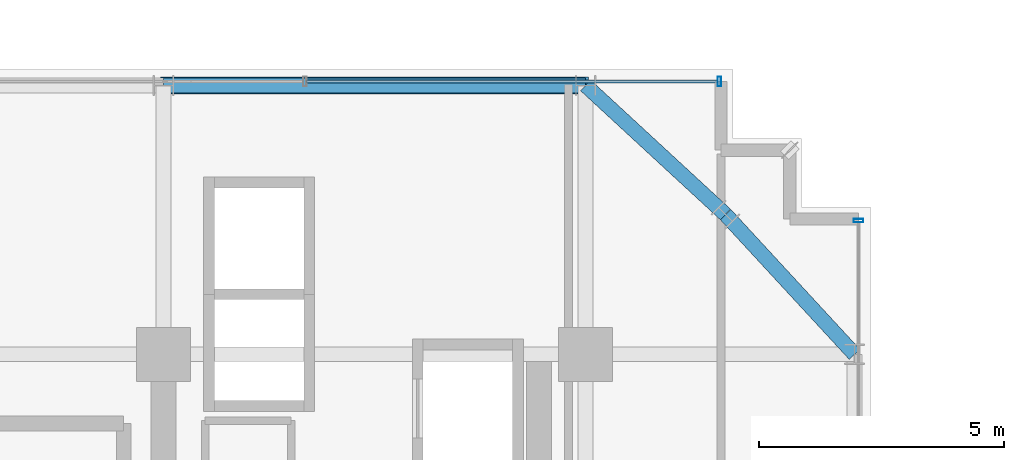
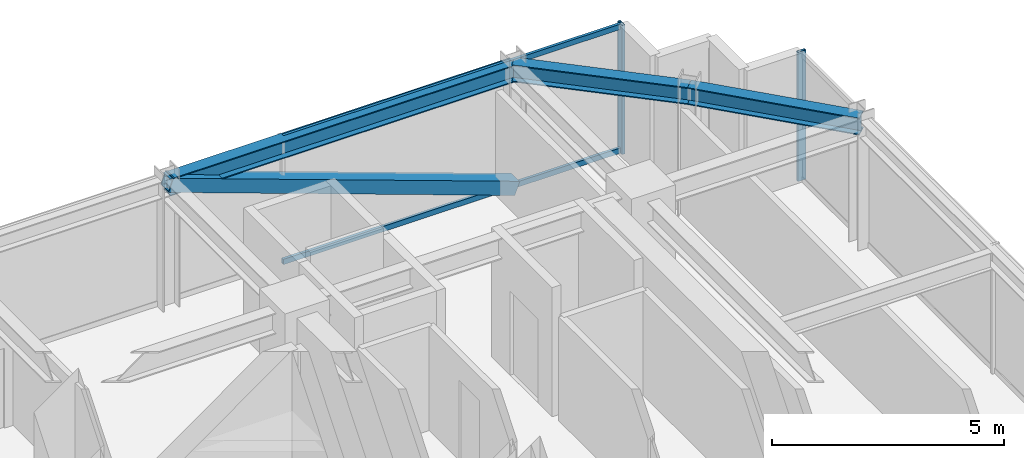
# One storey, part 27 of 41: 5 members, 3 beams, 2 elements without a shape of their own.
"""IFC4 building model written with IfcOpenShell, lengths in metres."""

from ifc_helpers import new_model, si_unit, direction, frame, origin, origin_2d, place, context, subcontext, project, spatial, hollow_rectangle, i_section, extrude, source, transform, mapped, material, material_profile, profile_set, type_object, element, aggregate, save


model = new_model("IFC4")

# Units and contexts
model_context = context("Model", 3, precision=1e-05, world=origin(), true_north=direction((0.0, 1.0)))
body_context = subcontext(model_context, "Body", "Model", "MODEL_VIEW")
ifc_project = project(units=[si_unit("LENGTHUNIT", "METRE"), si_unit("AREAUNIT", "SQUARE_METRE"), si_unit("VOLUMEUNIT", "CUBIC_METRE"), si_unit("PLANEANGLEUNIT", "RADIAN"), si_unit("MASSUNIT", "GRAM", prefix="KILO")], contexts=[model_context])

# Site, building, storey
site_placement = place(None, origin())
site = spatial("IfcSite", under=ifc_project, at=site_placement, CompositionType="ELEMENT")
building_placement = place(site_placement, origin())
building = spatial("IfcBuilding", under=site, at=building_placement, Name="Nahalor Promenade Grand Hotel", CompositionType="ELEMENT")
storey_placement = place(building_placement, frame((0.0, 0.0, 159.949951171875)))
storey = spatial("IfcBuildingStorey", under=building, at=storey_placement, Name="L40", CompositionType="ELEMENT", Elevation=159.949951171875)

# Beams
ifc_material_1 = material(Name="Steel S355JR", Category="steel")
ifc_material_profile_1 = material_profile(ifc_material_1, i_section(OverallWidth=0.3, OverallDepth=0.45, WebThickness=0.014, FlangeThickness=0.026, at=origin_2d()), Name="HEB 450")
ifc_profile_set_1 = profile_set([ifc_material_profile_1], Name="Steel S355JR")
beam_type = type_object("IfcBeamType", Name="Beam-Spandrel-HEB450", PredefinedType="SPANDREL", material=ifc_profile_set_1)
shared_shape_1 = source(origin(), body_context, "Body", "SweptSolid", [
    extrude(i_section(OverallWidth=0.3, OverallDepth=0.45, WebThickness=0.014, FlangeThickness=0.026, at=origin_2d()), origin(), (0.0, 0.0, 1.0), 8.60009765625),
])
beam_placement = place(storey_placement, frame((8.39990234375, 22.47998046875, 3.1650390625), z_axis=(1.0, 0.0, 0.0), x_axis=(0.0, 1.0, 0.0)))
element("IfcBeam", 1, at=beam_placement, inside=storey, type_object=beam_type, Name="BM-L40-SP-N-4", PredefinedType="SPANDREL", context=body_context, shape_type="MappedRepresentation", body=[
    mapped(shared_shape_1, transform((0.0, 0.0, 0.0), scale=1.0)),
])
shared_shape_2 = source(origin(), body_context, "Body", "SweptSolid", [
    extrude(i_section(OverallWidth=0.3, OverallDepth=0.45, WebThickness=0.014, FlangeThickness=0.026, at=origin_2d()), origin(), (0.0, 0.0, 1.0), 3.878173828125),
])
for number, where, z_axis, x_axis, name in (
    (2, (17.0, 22.47998046875, 3.1650390625), (0.73492893846, -0.678144125843, 0.0), (0.678144125843, 0.73492893846, 0.0), "BM-L40-SPC-NE-1"),
    (3, (19.85009765625, 19.85009765625, 3.1650390625), (0.678144125843, -0.73492893846, 0.0), (0.73492893846, 0.678144125843, 0.0), "BM-L40-SPC-NE-2"),
):
    element("IfcBeam", number, at=place(storey_placement, frame(where, z_axis=z_axis, x_axis=x_axis)), inside=storey, type_object=beam_type, Name=name, PredefinedType="SPANDREL", context=body_context, shape_type="MappedRepresentation", body=[
        mapped(shared_shape_2, transform((0.0, 0.0, 0.0), scale=1.0)),
    ])

# Member
ifc_material_profile_2 = material_profile(ifc_material_1, hollow_rectangle(XDim=0.35, YDim=0.35, WallThickness=0.02, at=origin_2d()), Name="SHS 350x350x20")
ifc_profile_set_2 = profile_set([ifc_material_profile_2], Name="Steel S355JR")
member_type_1 = type_object("IfcMemberType", Name="Mem-VoidBrace-SHS350", PredefinedType="BRACE", material=ifc_profile_set_2)
shared_shape_3 = source(origin(), body_context, "Body", "SweptSolid", [
    extrude(hollow_rectangle(XDim=0.35, YDim=0.35, WallThickness=0.02, at=origin_2d()), origin(), (0.0, 0.0, 1.0), 9.138427734375),
])
member_1_placement = place(storey_placement, frame((17.0, 22.47998046875, 0.150146484375), z_axis=(-0.941103144716, 0.0, 0.338119610501), x_axis=(0.0, -1.0, 0.0)))
element("IfcMember", 4, at=member_1_placement, inside=storey, type_object=member_type_1, Name="EXO-L40-N-1", PredefinedType="BRACE", context=body_context, shape_type="MappedRepresentation", body=[
    mapped(shared_shape_3, transform((0.0, 0.0, 0.0), scale=1.0)),
])

# Curtain wall, member
ifc_material_2 = material(Name="Anodised Bronze Aluminium EN AW-6063 T6", Category="aluminium")
curtain_wall_type = type_object("IfcCurtainWallType", Name="CW3 Elliptical-Void Collar Unitised Curtain Wall", PredefinedType="USERDEFINED", material=ifc_material_2)
curtain_wall_1_placement = place(storey_placement, origin())
curtain_wall_1 = element("IfcCurtainWall", 5, at=curtain_wall_1_placement, inside=storey, type_object=curtain_wall_type, Name="L40 Curtain Wall CW-L40-N-3", ObjectType="UNITISED_CURTAIN_WALL", PredefinedType="USERDEFINED")
ifc_material_profile_3 = material_profile(ifc_material_2, hollow_rectangle(XDim=0.07, YDim=0.2, WallThickness=0.005, at=origin_2d()), Name="CWM 70x200x5")
ifc_profile_set_3 = profile_set([ifc_material_profile_3], Name="Anodised Bronze Aluminium EN AW-6063 T6")
member_type_2 = type_object("IfcMemberType", Name="CWM3 Void Collar Mullion 70x200", PredefinedType="MULLION", material=ifc_profile_set_3)
shared_shape_4 = source(origin(), body_context, "Body", "SweptSolid", [
    extrude(hollow_rectangle(XDim=0.07, YDim=0.2, WallThickness=0.005, at=origin_2d()), origin(), (0.0, 0.0, 1.0), 3.39013671875),
])
member_2_placement = place(storey_placement, frame((19.72509765625, 22.56005859375, 0.0), z_axis=(0.0, 0.0, 1.0), x_axis=(1.0, 0.0, 0.0)))
member_2 = element("IfcMember", 6, at=member_2_placement, type_object=member_type_2, Name="CW-L40-N-3 Mullion 2", PredefinedType="MULLION", context=body_context, shape_type="MappedRepresentation", body=[
    mapped(shared_shape_4, transform((0.0, 0.0, 0.0), scale=1.0)),
])

curtain_wall_2_placement = place(storey_placement, origin())
curtain_wall_2 = element("IfcCurtainWall", 7, at=curtain_wall_2_placement, inside=storey, type_object=curtain_wall_type, Name="L40 Curtain Wall CW-L40-E-4", ObjectType="UNITISED_CURTAIN_WALL", PredefinedType="USERDEFINED")
member_3_placement = place(storey_placement, frame((22.56005859375, 19.72509765625, 0.0), z_axis=(0.0, 0.0, 1.0), x_axis=(0.0, 1.0, 0.0)))
member_3 = element("IfcMember", 8, at=member_3_placement, type_object=member_type_2, Name="CW-L40-E-4 Mullion 2", PredefinedType="MULLION", context=body_context, shape_type="MappedRepresentation", body=[
    mapped(shared_shape_4, transform((0.0, 0.0, 0.0), scale=1.0)),
])
aggregate(curtain_wall_2, [member_3])

# Member
ifc_material_profile_4 = material_profile(ifc_material_2, hollow_rectangle(XDim=0.07, YDim=0.14, WallThickness=0.004, at=origin_2d()), Name="CWT 70x140x4")
ifc_profile_set_4 = profile_set([ifc_material_profile_4], Name="Anodised Bronze Aluminium EN AW-6063 T6")
member_type_3 = type_object("IfcMemberType", Name="CWT3 Void Collar Transom 70x140", PredefinedType="USERDEFINED", material=ifc_profile_set_4)
shared_shape_5 = source(origin(), body_context, "Body", "SweptSolid", [
    extrude(hollow_rectangle(XDim=0.07, YDim=0.14, WallThickness=0.004, at=origin_2d()), origin(), (0.0, 0.0, 1.0), 8.375),
])
member_4_placement = place(storey_placement, frame((11.31494140625, 22.56005859375, 0.070068359375), z_axis=(1.0, 0.0, 0.0), x_axis=(0.0, 1.0, 0.0)))
member_4 = element("IfcMember", 9, at=member_4_placement, type_object=member_type_3, Name="CW-L40-N-3 Transom 1-0", ObjectType="TRANSOM", PredefinedType="USERDEFINED", context=body_context, shape_type="MappedRepresentation", body=[
    mapped(shared_shape_5, transform((0.0, 0.0, 0.0), scale=1.0)),
])

member_5_placement = place(storey_placement, frame((11.31494140625, 22.56005859375, 3.320068359375), z_axis=(1.0, 0.0, 0.0), x_axis=(0.0, 1.0, 0.0)))
member_5 = element("IfcMember", 10, at=member_5_placement, type_object=member_type_3, Name="CW-L40-N-3 Transom 1-1", ObjectType="TRANSOM", PredefinedType="USERDEFINED", context=body_context, shape_type="MappedRepresentation", body=[
    mapped(shared_shape_5, transform((0.0, 0.0, 0.0), scale=1.0)),
])

aggregate(curtain_wall_1, [member_2, member_4, member_5])

save(model, "model.ifc")
